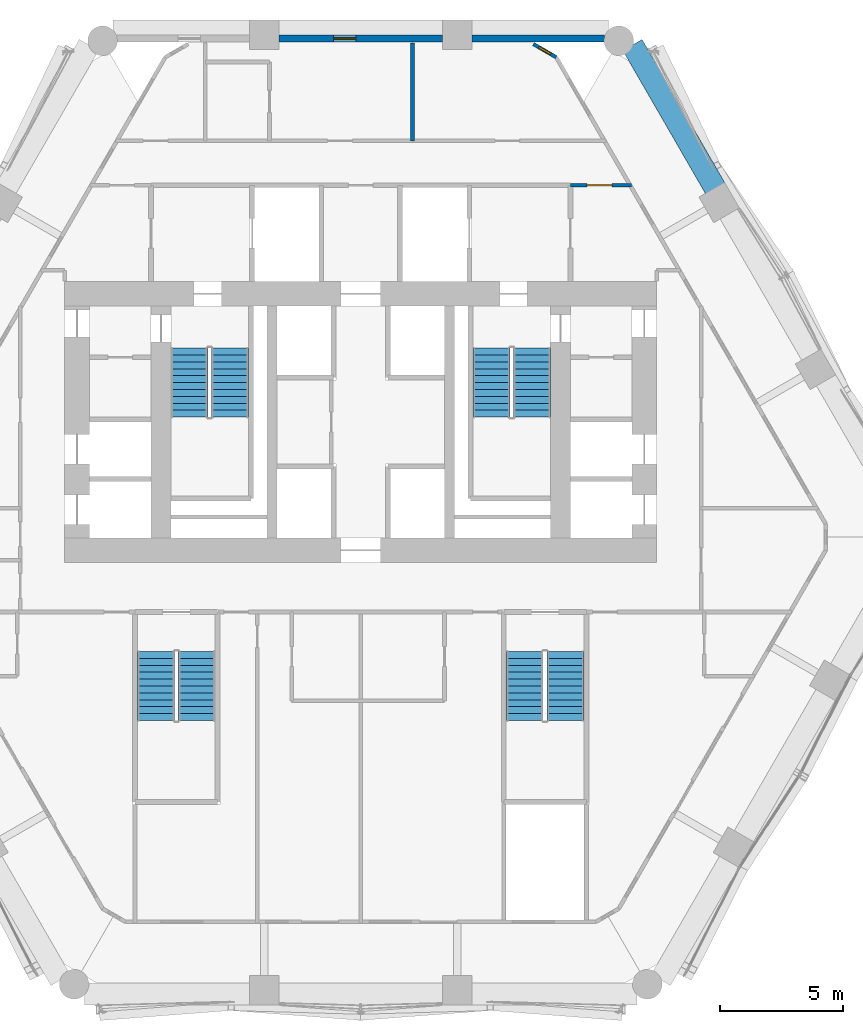
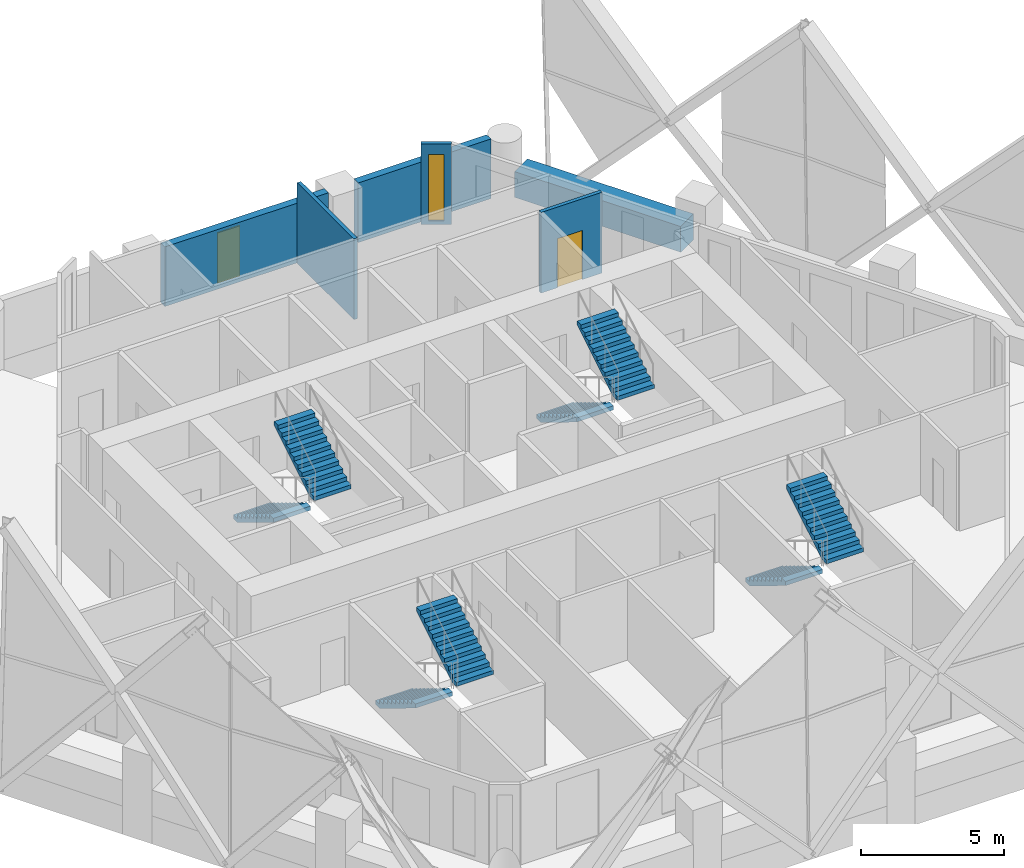
# One storey, part 16 of 21: 8 stair flights, 6 walls, 2 windows, 1 door, 3 openings, 4 elements without a shape of their own.
"""IFC4 building model written with IfcOpenShell, lengths in metres."""

from ifc_helpers import new_model, si_unit, direction, frame, frame_2d, origin, place, context, subcontext, project, spatial, polyline, rectangle, outline, extrude, material, layer, layer_set, type_object, element, fill, aggregate, save


model = new_model("IFC4")

# Units and contexts
model_context = context("Model", 3, precision=1e-05, world=origin(), true_north=direction((0.0, 1.0)))
body_context = subcontext(model_context, "Body", "Model", "MODEL_VIEW")
ifc_project = project(units=[si_unit("LENGTHUNIT", "METRE"), si_unit("AREAUNIT", "SQUARE_METRE"), si_unit("VOLUMEUNIT", "CUBIC_METRE"), si_unit("PLANEANGLEUNIT", "RADIAN"), si_unit("MASSUNIT", "GRAM", prefix="KILO")], contexts=[model_context])

# Site, building, storey
site_placement = place(None, origin())
site = spatial("IfcSite", under=ifc_project, at=site_placement, CompositionType="ELEMENT")
building_placement = place(site_placement, origin())
building = spatial("IfcBuilding", under=site, at=building_placement, Name="Ostrander Bayou Hotel Tower", CompositionType="ELEMENT")
storey_placement = place(building_placement, frame((0.0, 0.0, 116.0)))
storey = spatial("IfcBuildingStorey", under=building, at=storey_placement, Name="L28", CompositionType="ELEMENT", Elevation=116.0)

# Wall, opening, window
ifc_material_1 = material(Name="Aluminium framed insulated wall", Category="aluminium")
ifc_layer_1 = layer(ifc_material_1, 0.14990234375)
ifc_layer_set_1 = layer_set([ifc_layer_1], Name="GW1 glass-line wall 150 mm")
wall_type_1 = type_object("IfcWallType", Name="GW1 glass-line wall 150 mm", PredefinedType="SOLIDWALL", material=ifc_layer_set_1)
wall_1_placement = place(storey_placement, frame((7.925048828125, 18.79248046875, 0.0), z_axis=(0.0, 0.0, 1.0), x_axis=(-0.866048165231, 0.499960573946, 0.0)))
wall_1 = element("IfcWall", 1, at=wall_1_placement, inside=storey, type_object=wall_type_1, Name="GW1 L28 corner 6", PredefinedType="SOLIDWALL", context=body_context, shape_type="SweptSolid", body=[
    extrude(rectangle(XDim=1.06494140625, YDim=0.14990234375, at=frame_2d((0.532470703125, 0.0))), origin(), (0.0, 0.0, 1.0), 3.449951171875),
])
opening_1_placement = place(wall_1_placement, frame((0.257568359375, 0.0, 0.14990234375)))
opening_1 = element("IfcOpeningElement", 2, at=opening_1_placement, cuts=wall_1, Name="Opening W19", PredefinedType="OPENING", context=body_context, shape_type="SweptSolid", body=[
    extrude(rectangle(XDim=0.550048828125, YDim=2.85009765625, at=frame_2d((0.27490234375, 1.425048828125))), frame((0.0, 0.074951171875, 0.0), z_axis=(0.0, -1.0, 0.0), x_axis=(1.0, 0.0, 0.0)), (0.0, 0.0, 1.0), 0.14990234375),
])
ifc_material_2 = material(Name="Aluminium and clear glass", Category="aluminium")
window_type_1 = type_object("IfcWindowType", Name="W19 corner window 550 mm", PartitioningType="SINGLE_PANEL", PredefinedType="WINDOW", material=ifc_material_2)
window_1_placement = place(opening_1_placement, origin())
window_1 = element("IfcWindow", 3, at=window_1_placement, inside=storey, type_object=window_type_1, Name="W19 L28 corner 6", OverallHeight=2.85009765625, OverallWidth=0.550048828125, PartitioningType="SINGLE_PANEL", PredefinedType="WINDOW", context=body_context, shape_type="SweptSolid", body=[
    extrude(rectangle(XDim=0.550048828125, YDim=2.85009765625, at=frame_2d((0.27490234375, 1.425048828125))), frame((0.0, 0.030029296875, 0.0), z_axis=(0.0, -1.0, 0.0), x_axis=(1.0, 0.0, 0.0)), (0.0, 0.0, 1.0), 0.06005859375),
])
fill(opening_1, window_1)

# Wall
ifc_material_3 = material(Name="Reconstituted stone on masonry backing", Category="masonry")
ifc_layer_2 = layer(ifc_material_3, 0.300048828125)
ifc_layer_set_2 = layer_set([ifc_layer_2], Name="NW1 north stone wall 300 mm")
wall_type_2 = type_object("IfcWallType", Name="NW1 north stone wall 300 mm", PredefinedType="SOLIDWALL", material=ifc_layer_set_2)
wall_2_placement = place(storey_placement, frame((9.875, 19.550048828125, 0.0), z_axis=(0.0, 0.0, 1.0), x_axis=(-1.0, 0.0, 0.0)))
element("IfcWall", 4, at=wall_2_placement, inside=storey, type_object=wall_type_2, Name="NW1 L28 N-1", PredefinedType="SOLIDWALL", context=body_context, shape_type="SweptSolid", body=[
    extrude(rectangle(XDim=5.368408203125, YDim=0.300048828125, at=frame_2d((2.68408203125, 0.0))), origin(), (0.0, 0.0, 1.0), 2.550048828125),
])

# Wall, opening, window
wall_3_placement = place(storey_placement, frame((3.306640625, 19.550048828125, 0.0), z_axis=(0.0, 0.0, 1.0), x_axis=(-1.0, 0.0, 0.0)))
wall_3 = element("IfcWall", 5, at=wall_3_placement, inside=storey, type_object=wall_type_2, Name="NW1 L28 N-2", PredefinedType="SOLIDWALL", context=body_context, shape_type="SweptSolid", body=[
    extrude(rectangle(XDim=6.61328125, YDim=0.300048828125, at=frame_2d((3.306640625, 0.0))), origin(), (0.0, 0.0, 1.0), 2.550048828125),
])
opening_2_placement = place(wall_3_placement, frame((3.506591796875, 0.0, 0.14990234375)))
opening_2 = element("IfcOpeningElement", 6, at=opening_2_placement, cuts=wall_3, Name="Opening W16", PredefinedType="OPENING", context=body_context, shape_type="SweptSolid", body=[
    extrude(rectangle(XDim=0.89990234375, YDim=2.14990234375, at=frame_2d((0.449951171875, 1.074951171875))), frame((0.0, 0.14990234375, 0.0), z_axis=(0.0, -1.0, 0.0), x_axis=(1.0, 0.0, 0.0)), (0.0, 0.0, 1.0), 0.300048828125),
])
ifc_material_4 = material(Name="Aluminium and clear glass", Category="aluminium")
window_type_2 = type_object("IfcWindowType", Name="W16 window 900 mm, zone 2", PartitioningType="SINGLE_PANEL", PredefinedType="WINDOW", material=ifc_material_4)
window_2_placement = place(opening_2_placement, origin())
window_2 = element("IfcWindow", 7, at=window_2_placement, inside=storey, type_object=window_type_2, Name="W16 L28 north N-2", OverallHeight=2.14990234375, OverallWidth=0.89990234375, PartitioningType="SINGLE_PANEL", PredefinedType="WINDOW", context=body_context, shape_type="SweptSolid", body=[
    extrude(rectangle(XDim=0.89990234375, YDim=2.14990234375, at=frame_2d((0.449951171875, 1.074951171875))), frame((0.0, 0.030029296875, 0.0), z_axis=(0.0, -1.0, 0.0), x_axis=(1.0, 0.0, 0.0)), (0.0, 0.0, 1.0), 0.06005859375),
])
fill(opening_2, window_2)

# Wall
ifc_material_5 = material(Name="Concrete f'c 40 MPa", Category="concrete")
ifc_layer_3 = layer(ifc_material_5, 0.89990234375)
ifc_layer_set_3 = layer_set([ifc_layer_3], Name="PA1 stone-faced parapet 900 mm")
wall_type_3 = type_object("IfcWallType", Name="PA1 stone-faced parapet 900 mm", PredefinedType="PARAPET", material=ifc_layer_set_3)
wall_4_placement = place(storey_placement, frame((14.3759765625, 13.46923828125, 0.0), z_axis=(0.0, 0.0, 1.0), x_axis=(-0.500012951941, 0.866017925849, 0.0)))
element("IfcWall", 8, at=wall_4_placement, inside=storey, type_object=wall_type_3, Name="PA1 L28 NE-3", PredefinedType="PARAPET", context=body_context, shape_type="SweptSolid", body=[
    extrude(rectangle(XDim=6.717041015625, YDim=0.89990234375, at=frame_2d((3.3583984375, 0.0))), origin(), (0.0, 0.0, 1.0), 1.10009765625),
])

# Wall, opening, door
ifc_material_6 = material(Name="Gypsum board partition", Category="finish")
ifc_layer_4 = layer(ifc_material_6, 0.14990234375)
ifc_layer_set_4 = layer_set([ifc_layer_4], Name="PT8 service band wall 150 mm, 1 hour")
wall_type_4 = type_object("IfcWallType", Name="PT8 service band wall 150 mm, 1 hour", PredefinedType="PARTITIONING", material=ifc_layer_set_4)
wall_5_placement = place(storey_placement, frame((8.510009765625, 13.60009765625, 0.0), z_axis=(0.0, 0.0, 1.0), x_axis=(1.0, 0.0, 0.0)))
wall_5 = element("IfcWall", 9, at=wall_5_placement, inside=storey, type_object=wall_type_4, Name="gw:L28:013", PredefinedType="PARTITIONING", context=body_context, shape_type="SweptSolid", body=[
    extrude(rectangle(XDim=2.465087890625, YDim=0.14990234375, at=frame_2d((1.232421875, 0.0))), origin(), (0.0, 0.0, 1.0), 3.449951171875),
])
opening_3_placement = place(wall_5_placement, frame((0.669921875, 0.0, 0.0)))
opening_3 = element("IfcOpeningElement", 10, at=opening_3_placement, cuts=wall_5, Name="Opening T28-419", PredefinedType="OPENING", context=body_context, shape_type="SweptSolid", body=[
    extrude(rectangle(XDim=1.0, YDim=2.10009765625, at=frame_2d((0.5, 1.050048828125))), frame((0.0, 0.074951171875, 0.0), z_axis=(0.0, -1.0, 0.0), x_axis=(1.0, 0.0, 0.0)), (0.0, 0.0, 1.0), 0.14990234375),
])
ifc_material_7 = material(Name="Timber door leaf", Category="wood")
door_type = type_object("IfcDoorType", Name="D9 service door 1000 x 2100 mm, 30 minute", OperationType="SINGLE_SWING_LEFT", PredefinedType="DOOR", material=ifc_material_7)
door_placement = place(opening_3_placement, origin())
door = element("IfcDoor", 11, at=door_placement, inside=storey, type_object=door_type, Name="dr:L28:419", OperationType="SINGLE_SWING_LEFT", OverallHeight=2.10009765625, OverallWidth=1.0, PredefinedType="DOOR", context=body_context, shape_type="SweptSolid", body=[
    extrude(rectangle(XDim=1.0, YDim=2.10009765625, at=frame_2d((0.5, 1.050048828125))), frame((0.0, 0.02490234375, 0.0), z_axis=(0.0, -1.0, 0.0), x_axis=(1.0, 0.0, 0.0)), (0.0, 0.0, 1.0), 0.050048828125),
])
fill(opening_3, door)

# Wall
wall_6_placement = place(storey_placement, frame((2.10009765625, 15.39990234375, 0.0), z_axis=(0.0, 0.0, 1.0), x_axis=(0.0, 1.0, 0.0)))
element("IfcWall", 12, at=wall_6_placement, inside=storey, type_object=wall_type_4, Name="gw:L28:022", PredefinedType="PARTITIONING", context=body_context, shape_type="SweptSolid", body=[
    extrude(rectangle(XDim=3.97021484375, YDim=0.14990234375, at=frame_2d((1.985107421875, 0.0))), origin(), (0.0, 0.0, 1.0), 3.449951171875),
])

# Stair, stair flights
ifc_material_8 = material(Name="Concrete f'c 45 MPa", Category="concrete")
stair_type = type_object("IfcStairType", Name="ST1 exit stair 1500 mm f'c 45 MPa", PredefinedType="HALF_TURN_STAIR", material=ifc_material_8)
stair_1_placement = place(storey_placement, origin())
stair_1 = element("IfcStair", 13, at=stair_1_placement, inside=storey, type_object=stair_type, Name="L28 exit stair A", PredefinedType="HALF_TURN_STAIR")
ifc_material_9 = material(Name="Concrete f'c 45 MPa", Category="concrete")
stair_flight_type = type_object("IfcStairFlightType", Name="SF1 stair flight 1500 mm f'c 45 MPa", PredefinedType="STRAIGHT", material=ifc_material_9)
stair_flight_1_placement = place(storey_placement, frame((-6.949951171875, 7.0, 0.0), z_axis=(0.0, 0.0, 1.0), x_axis=(0.0, -1.0, 0.0)))
stair_flight_1 = element("IfcStairFlight", 14, at=stair_flight_1_placement, type_object=stair_flight_type, Name="STA flight 1", NumberOfRisers=11, NumberOfTreads=10, PredefinedType="STRAIGHT", RiserHeight=0.170454545, TreadLength=0.28, context=body_context, shape_type="SweptSolid", body=[
    extrude(outline(polyline([(0.0, 0.0), (0.0, 0.17041015625), (0.280029296875, 0.17041015625), (0.280029296875, 0.3408203125), (0.56005859375, 0.3408203125), (0.56005859375, 0.511474609375), (0.840087890625, 0.511474609375), (0.840087890625, 0.681884765625), (1.1201171875, 0.681884765625), (1.1201171875, 0.852294921875), (1.39990234375, 0.852294921875), (1.39990234375, 1.022705078125), (1.679931640625, 1.022705078125), (1.679931640625, 1.193115234375), (1.9599609375, 1.193115234375), (1.9599609375, 1.363525390625), (2.239990234375, 1.363525390625), (2.239990234375, 1.5341796875), (2.52001953125, 1.5341796875), (2.52001953125, 1.70458984375), (2.800048828125, 1.70458984375), (2.800048828125, 1.875), (2.800048828125, 1.529052734375), (0.288330078125, 0.0), (0.0, 0.0)])), frame((0.0, 0.75, 0.0), z_axis=(0.0, -1.0, 0.0), x_axis=(1.0, 0.0, 0.0)), (0.0, 0.0, 1.0), 1.5),
])
stair_flight_2_placement = place(storey_placement, frame((-5.300048828125, 4.199951171875, 1.875), z_axis=(0.0, 0.0, 1.0), x_axis=(0.0, 1.0, 0.0)))
stair_flight_2 = element("IfcStairFlight", 15, at=stair_flight_2_placement, type_object=stair_flight_type, Name="STA flight 2", NumberOfRisers=11, NumberOfTreads=10, PredefinedType="STRAIGHT", RiserHeight=0.170454545, TreadLength=0.28, context=body_context, shape_type="SweptSolid", body=[
    extrude(outline(polyline([(0.0, 0.0), (0.0, 0.17041015625), (0.280029296875, 0.17041015625), (0.280029296875, 0.3408203125), (0.56005859375, 0.3408203125), (0.56005859375, 0.511474609375), (0.840087890625, 0.511474609375), (0.840087890625, 0.681884765625), (1.1201171875, 0.681884765625), (1.1201171875, 0.852294921875), (1.39990234375, 0.852294921875), (1.39990234375, 1.022705078125), (1.679931640625, 1.022705078125), (1.679931640625, 1.193115234375), (1.9599609375, 1.193115234375), (1.9599609375, 1.363525390625), (2.239990234375, 1.363525390625), (2.239990234375, 1.5341796875), (2.52001953125, 1.5341796875), (2.52001953125, 1.70458984375), (2.800048828125, 1.70458984375), (2.800048828125, 1.875), (2.800048828125, 1.529052734375), (0.288330078125, 0.0), (0.0, 0.0)])), frame((0.0, 0.75, 0.0), z_axis=(0.0, -1.0, 0.0), x_axis=(1.0, 0.0, 0.0)), (0.0, 0.0, 1.0), 1.5),
])
aggregate(stair_1, [stair_flight_1, stair_flight_2])

stair_2_placement = place(storey_placement, origin())
stair_2 = element("IfcStair", 16, at=stair_2_placement, inside=storey, type_object=stair_type, Name="L28 exit stair B", PredefinedType="HALF_TURN_STAIR")
stair_flight_3_placement = place(storey_placement, frame((5.300048828125, 7.0, 0.0), z_axis=(0.0, 0.0, 1.0), x_axis=(0.0, -1.0, 0.0)))
stair_flight_3 = element("IfcStairFlight", 17, at=stair_flight_3_placement, type_object=stair_flight_type, Name="STB flight 1", NumberOfRisers=11, NumberOfTreads=10, PredefinedType="STRAIGHT", RiserHeight=0.170454545, TreadLength=0.28, context=body_context, shape_type="SweptSolid", body=[
    extrude(outline(polyline([(0.0, 0.0), (0.0, 0.17041015625), (0.280029296875, 0.17041015625), (0.280029296875, 0.3408203125), (0.56005859375, 0.3408203125), (0.56005859375, 0.511474609375), (0.840087890625, 0.511474609375), (0.840087890625, 0.681884765625), (1.1201171875, 0.681884765625), (1.1201171875, 0.852294921875), (1.39990234375, 0.852294921875), (1.39990234375, 1.022705078125), (1.679931640625, 1.022705078125), (1.679931640625, 1.193115234375), (1.9599609375, 1.193115234375), (1.9599609375, 1.363525390625), (2.239990234375, 1.363525390625), (2.239990234375, 1.5341796875), (2.52001953125, 1.5341796875), (2.52001953125, 1.70458984375), (2.800048828125, 1.70458984375), (2.800048828125, 1.875), (2.800048828125, 1.529052734375), (0.288330078125, 0.0), (0.0, 0.0)])), frame((0.0, 0.75, 0.0), z_axis=(0.0, -1.0, 0.0), x_axis=(1.0, 0.0, 0.0)), (0.0, 0.0, 1.0), 1.5),
])
stair_flight_4_placement = place(storey_placement, frame((6.949951171875, 4.199951171875, 1.875), z_axis=(0.0, 0.0, 1.0), x_axis=(0.0, 1.0, 0.0)))
stair_flight_4 = element("IfcStairFlight", 18, at=stair_flight_4_placement, type_object=stair_flight_type, Name="STB flight 2", NumberOfRisers=11, NumberOfTreads=10, PredefinedType="STRAIGHT", RiserHeight=0.170454545, TreadLength=0.28, context=body_context, shape_type="SweptSolid", body=[
    extrude(outline(polyline([(0.0, 0.0), (0.0, 0.17041015625), (0.280029296875, 0.17041015625), (0.280029296875, 0.3408203125), (0.56005859375, 0.3408203125), (0.56005859375, 0.511474609375), (0.840087890625, 0.511474609375), (0.840087890625, 0.681884765625), (1.1201171875, 0.681884765625), (1.1201171875, 0.852294921875), (1.39990234375, 0.852294921875), (1.39990234375, 1.022705078125), (1.679931640625, 1.022705078125), (1.679931640625, 1.193115234375), (1.9599609375, 1.193115234375), (1.9599609375, 1.363525390625), (2.239990234375, 1.363525390625), (2.239990234375, 1.5341796875), (2.52001953125, 1.5341796875), (2.52001953125, 1.70458984375), (2.800048828125, 1.70458984375), (2.800048828125, 1.875), (2.800048828125, 1.529052734375), (0.288330078125, 0.0), (0.0, 0.0)])), frame((0.0, 0.75, 0.0), z_axis=(0.0, -1.0, 0.0), x_axis=(1.0, 0.0, 0.0)), (0.0, 0.0, 1.0), 1.5),
])
aggregate(stair_2, [stair_flight_3, stair_flight_4])

stair_3_placement = place(storey_placement, origin())
stair_3 = element("IfcStair", 19, at=stair_3_placement, inside=storey, type_object=stair_type, Name="L28 exit stair C", PredefinedType="HALF_TURN_STAIR")
stair_flight_5_placement = place(storey_placement, frame((6.64990234375, -5.300048828125, 0.0), z_axis=(0.0, 0.0, 1.0), x_axis=(0.0, -1.0, 0.0)))
stair_flight_5 = element("IfcStairFlight", 20, at=stair_flight_5_placement, type_object=stair_flight_type, Name="STC flight 1", NumberOfRisers=11, NumberOfTreads=10, PredefinedType="STRAIGHT", RiserHeight=0.170454545, TreadLength=0.28, context=body_context, shape_type="SweptSolid", body=[
    extrude(outline(polyline([(0.0, 0.0), (0.0, 0.17041015625), (0.280029296875, 0.17041015625), (0.280029296875, 0.3408203125), (0.56005859375, 0.3408203125), (0.56005859375, 0.511474609375), (0.840087890625, 0.511474609375), (0.840087890625, 0.681884765625), (1.1201171875, 0.681884765625), (1.1201171875, 0.852294921875), (1.39990234375, 0.852294921875), (1.39990234375, 1.022705078125), (1.679931640625, 1.022705078125), (1.679931640625, 1.193115234375), (1.9599609375, 1.193115234375), (1.9599609375, 1.363525390625), (2.239990234375, 1.363525390625), (2.239990234375, 1.5341796875), (2.52001953125, 1.5341796875), (2.52001953125, 1.70458984375), (2.800048828125, 1.70458984375), (2.800048828125, 1.875), (2.800048828125, 1.529052734375), (0.288330078125, 0.0), (0.0, 0.0)])), frame((0.0, 0.75, 0.0), z_axis=(0.0, -1.0, 0.0), x_axis=(1.0, 0.0, 0.0)), (0.0, 0.0, 1.0), 1.5),
])
stair_flight_6_placement = place(storey_placement, frame((8.300048828125, -8.10009765625, 1.875), z_axis=(0.0, 0.0, 1.0), x_axis=(0.0, 1.0, 0.0)))
stair_flight_6 = element("IfcStairFlight", 21, at=stair_flight_6_placement, type_object=stair_flight_type, Name="STC flight 2", NumberOfRisers=11, NumberOfTreads=10, PredefinedType="STRAIGHT", RiserHeight=0.170454545, TreadLength=0.28, context=body_context, shape_type="SweptSolid", body=[
    extrude(outline(polyline([(0.0, 0.0), (0.0, 0.17041015625), (0.280029296875, 0.17041015625), (0.280029296875, 0.3408203125), (0.56005859375, 0.3408203125), (0.56005859375, 0.511474609375), (0.840087890625, 0.511474609375), (0.840087890625, 0.681884765625), (1.1201171875, 0.681884765625), (1.1201171875, 0.852294921875), (1.39990234375, 0.852294921875), (1.39990234375, 1.022705078125), (1.679931640625, 1.022705078125), (1.679931640625, 1.193115234375), (1.9599609375, 1.193115234375), (1.9599609375, 1.363525390625), (2.239990234375, 1.363525390625), (2.239990234375, 1.5341796875), (2.52001953125, 1.5341796875), (2.52001953125, 1.70458984375), (2.800048828125, 1.70458984375), (2.800048828125, 1.875), (2.800048828125, 1.529052734375), (0.288330078125, 0.0), (0.0, 0.0)])), frame((0.0, 0.75, 0.0), z_axis=(0.0, -1.0, 0.0), x_axis=(1.0, 0.0, 0.0)), (0.0, 0.0, 1.0), 1.5),
])
aggregate(stair_3, [stair_flight_5, stair_flight_6])

stair_4_placement = place(storey_placement, origin())
stair_4 = element("IfcStair", 22, at=stair_4_placement, inside=storey, type_object=stair_type, Name="L28 exit stair D", PredefinedType="HALF_TURN_STAIR")
stair_flight_7_placement = place(storey_placement, frame((-8.300048828125, -5.300048828125, 0.0), z_axis=(0.0, 0.0, 1.0), x_axis=(0.0, -1.0, 0.0)))
stair_flight_7 = element("IfcStairFlight", 23, at=stair_flight_7_placement, type_object=stair_flight_type, Name="STD flight 1", NumberOfRisers=11, NumberOfTreads=10, PredefinedType="STRAIGHT", RiserHeight=0.170454545, TreadLength=0.28, context=body_context, shape_type="SweptSolid", body=[
    extrude(outline(polyline([(0.0, 0.0), (0.0, 0.17041015625), (0.280029296875, 0.17041015625), (0.280029296875, 0.3408203125), (0.56005859375, 0.3408203125), (0.56005859375, 0.511474609375), (0.840087890625, 0.511474609375), (0.840087890625, 0.681884765625), (1.1201171875, 0.681884765625), (1.1201171875, 0.852294921875), (1.39990234375, 0.852294921875), (1.39990234375, 1.022705078125), (1.679931640625, 1.022705078125), (1.679931640625, 1.193115234375), (1.9599609375, 1.193115234375), (1.9599609375, 1.363525390625), (2.239990234375, 1.363525390625), (2.239990234375, 1.5341796875), (2.52001953125, 1.5341796875), (2.52001953125, 1.70458984375), (2.800048828125, 1.70458984375), (2.800048828125, 1.875), (2.800048828125, 1.529052734375), (0.288330078125, 0.0), (0.0, 0.0)])), frame((0.0, 0.75, 0.0), z_axis=(0.0, -1.0, 0.0), x_axis=(1.0, 0.0, 0.0)), (0.0, 0.0, 1.0), 1.5),
])
stair_flight_8_placement = place(storey_placement, frame((-6.64990234375, -8.10009765625, 1.875), z_axis=(0.0, 0.0, 1.0), x_axis=(0.0, 1.0, 0.0)))
stair_flight_8 = element("IfcStairFlight", 24, at=stair_flight_8_placement, type_object=stair_flight_type, Name="STD flight 2", NumberOfRisers=11, NumberOfTreads=10, PredefinedType="STRAIGHT", RiserHeight=0.170454545, TreadLength=0.28, context=body_context, shape_type="SweptSolid", body=[
    extrude(outline(polyline([(0.0, 0.0), (0.0, 0.17041015625), (0.280029296875, 0.17041015625), (0.280029296875, 0.3408203125), (0.56005859375, 0.3408203125), (0.56005859375, 0.511474609375), (0.840087890625, 0.511474609375), (0.840087890625, 0.681884765625), (1.1201171875, 0.681884765625), (1.1201171875, 0.852294921875), (1.39990234375, 0.852294921875), (1.39990234375, 1.022705078125), (1.679931640625, 1.022705078125), (1.679931640625, 1.193115234375), (1.9599609375, 1.193115234375), (1.9599609375, 1.363525390625), (2.239990234375, 1.363525390625), (2.239990234375, 1.5341796875), (2.52001953125, 1.5341796875), (2.52001953125, 1.70458984375), (2.800048828125, 1.70458984375), (2.800048828125, 1.875), (2.800048828125, 1.529052734375), (0.288330078125, 0.0), (0.0, 0.0)])), frame((0.0, 0.75, 0.0), z_axis=(0.0, -1.0, 0.0), x_axis=(1.0, 0.0, 0.0)), (0.0, 0.0, 1.0), 1.5),
])
aggregate(stair_4, [stair_flight_7, stair_flight_8])

save(model, "model.ifc")
